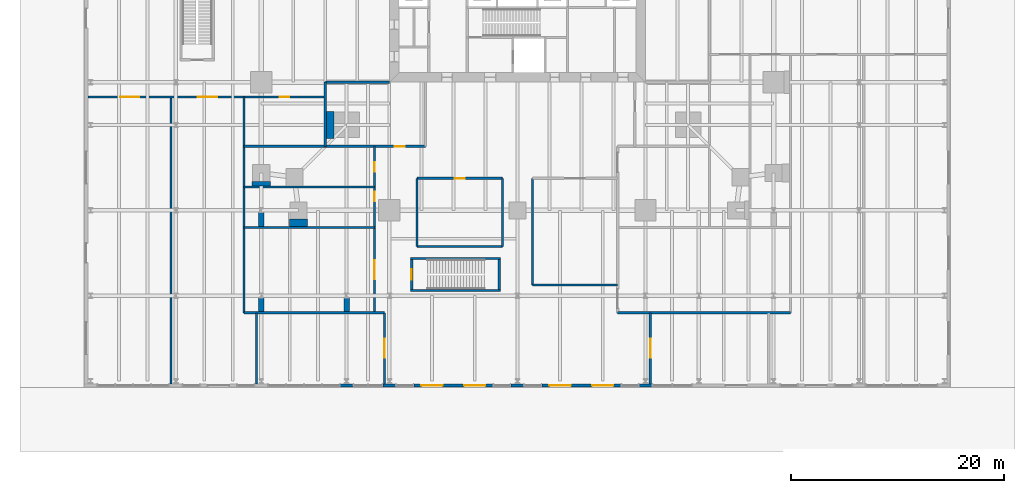
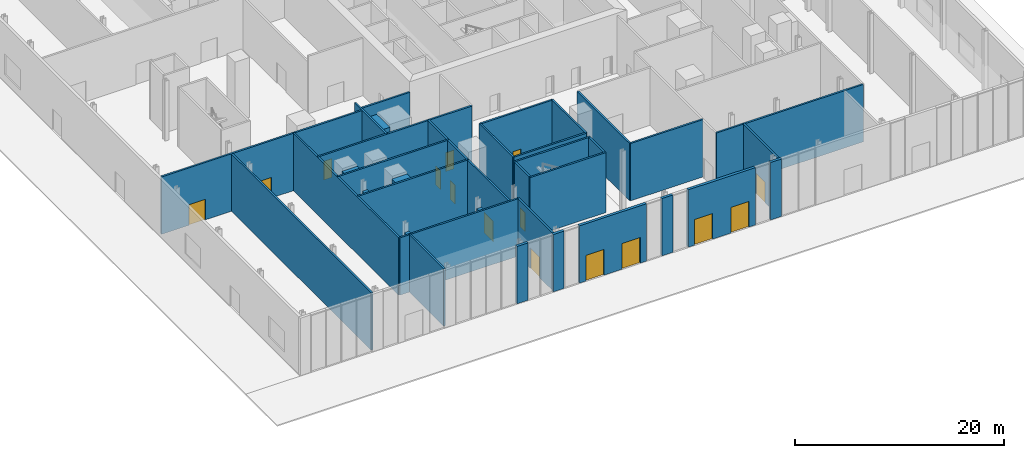
# One storey, part 11 of 20: 36 walls, 15 doors, 15 openings.
"""IFC4 building model written with IfcOpenShell, lengths in metres."""

from ifc_helpers import new_model, si_unit, direction, frame, frame_2d, origin, place, context, subcontext, project, spatial, rectangle, extrude, material, layer, layer_set, type_object, element, fill, save


model = new_model("IFC4")

# Units and contexts
model_context = context("Model", 3, precision=1e-05, world=origin(), true_north=direction((0.0, 1.0)))
body_context = subcontext(model_context, "Body", "Model", "MODEL_VIEW")
ifc_project = project(units=[si_unit("LENGTHUNIT", "METRE"), si_unit("AREAUNIT", "SQUARE_METRE"), si_unit("VOLUMEUNIT", "CUBIC_METRE"), si_unit("PLANEANGLEUNIT", "RADIAN"), si_unit("MASSUNIT", "GRAM", prefix="KILO")], contexts=[model_context])

# Site, building, storey
site_placement = place(None, origin())
site = spatial("IfcSite", under=ifc_project, at=site_placement, CompositionType="ELEMENT")
building_placement = place(site_placement, origin())
building = spatial("IfcBuilding", under=site, at=building_placement, Name="Fenwick Lantern Interchange", CompositionType="ELEMENT")
storey_placement = place(building_placement, origin())
storey = spatial("IfcBuildingStorey", under=building, at=storey_placement, Name="L00", CompositionType="ELEMENT", Elevation=0.0)

# Walls
ifc_material_1 = material(Name="Fire-rated gypsum board encasement on steel studs, 2 hour", Category="steel")
ifc_layer_1 = layer(ifc_material_1, 1.699951171875)
ifc_layer_set_1 = layer_set([ifc_layer_1], Name="COLUMN PIER 1700")
wall_type_1 = type_object("IfcWallType", Name="COLUMN PIER 1700", PredefinedType="PARTITIONING", material=ifc_layer_set_1)
wall_1_placement = place(storey_placement, frame((4.5, -0.5, 0.0), z_axis=(0.0, 0.0, 1.0), x_axis=(0.0, 1.0, 0.0)))
element("IfcWall", 1, at=wall_1_placement, inside=storey, type_object=wall_type_1, Name="L00/W/PIER/CS1", PredefinedType="PARTITIONING", context=body_context, shape_type="SweptSolid", body=[
    extrude(rectangle(XDim=0.699951171875, YDim=1.699951171875, at=frame_2d((0.35009765625, 0.0))), origin(), (0.0, 0.0, 1.0), 6.699951171875),
])
wall_2_placement = place(storey_placement, frame((1.0, 3.300048828125, 0.0), z_axis=(0.0, 0.0, 1.0), x_axis=(0.0, 1.0, 0.0)))
element("IfcWall", 2, at=wall_2_placement, inside=storey, type_object=wall_type_1, Name="L00/W/PIER/CW5", PredefinedType="PARTITIONING", context=body_context, shape_type="SweptSolid", body=[
    extrude(rectangle(XDim=0.39990234375, YDim=1.699951171875, at=frame_2d((0.199951171875, 0.0))), origin(), (0.0, 0.0, 1.0), 6.699951171875),
])
ifc_layer_2 = layer(ifc_material_1, 2.5)
ifc_layer_set_2 = layer_set([ifc_layer_2], Name="COLUMN PIER 2500")
wall_type_2 = type_object("IfcWallType", Name="COLUMN PIER 2500", PredefinedType="PARTITIONING", material=ifc_layer_set_2)
wall_3_placement = place(storey_placement, frame((7.10009765625, 9.0, 0.0), z_axis=(0.0, 0.0, 1.0), x_axis=(1.0, 0.0, 0.0)))
element("IfcWall", 3, at=wall_3_placement, inside=storey, type_object=wall_type_2, Name="L00/W/PIER/M1", PredefinedType="PARTITIONING", context=body_context, shape_type="SweptSolid", body=[
    extrude(rectangle(XDim=0.699951171875, YDim=2.5, at=frame_2d((0.35009765625, 0.0))), origin(), (0.0, 0.0, 1.0), 6.699951171875),
])
ifc_layer_3 = layer(ifc_material_1, 0.51708984375)
ifc_layer_set_3 = layer_set([ifc_layer_3], Name="COLUMN PIER 517")
wall_type_3 = type_object("IfcWallType", Name="COLUMN PIER 517", PredefinedType="PARTITIONING", material=ifc_layer_set_3)
for number, where, z_axis, x_axis, name in (
    (4, (1.0, -8.5, 0.0), (0.0, 0.0, 1.0), (0.0, 1.0, 0.0), "L00/W/PIER/PB3"),
    (5, (9.0, -8.5, 0.0), (0.0, 0.0, 1.0), (0.0, 1.0, 0.0), "L00/W/PIER/PB4"),
    (6, (1.0, -0.5, 0.0), (0.0, 0.0, 1.0), (0.0, 1.0, 0.0), "L00/W/PIER/PC3"),
):
    element("IfcWall", number, at=place(storey_placement, frame(where, z_axis=z_axis, x_axis=x_axis)), inside=storey, type_object=wall_type_3, Name=name, PredefinedType="PARTITIONING", context=body_context, shape_type="SweptSolid", body=[
        extrude(rectangle(XDim=1.27783203125, YDim=0.51708984375, at=frame_2d((0.638916015625, 0.0))), origin(), (0.0, 0.0, 1.0), 5.9541015625),
    ])
ifc_material_2 = material(Name="Limestone ASTM C568 Classification II", Category="masonry")
ifc_layer_4 = layer(ifc_material_2, 0.074951171875)
ifc_material_3 = material(Name="Mineral wool insulation")
ifc_layer_5 = layer(ifc_material_3, 0.125)
ifc_material_4 = material(Name="Cold-formed galvanised steel studs", Category="steel")
ifc_layer_6 = layer(ifc_material_4, 0.10009765625)
ifc_layer_set_4 = layer_set([ifc_layer_4, ifc_layer_5, ifc_layer_6], Name="Limestone ASTM C568 Classification II")
wall_type_4 = type_object("IfcWallType", Name="LIMESTONE RAINSCREEN WALL 300", PredefinedType="SOLIDWALL", material=ifc_layer_set_4)
for number, where, z_axis, x_axis, name in (
    (7, (8.39990234375, -15.39990234375, 0.0), (0.0, 0.0, 1.0), (1.0, 0.0, 0.0), "L00/EW/S05"),
    (8, (12.39990234375, -15.39990234375, 0.0), (0.0, 0.0, 1.0), (1.0, 0.0, 0.0), "L00/EW/S06"),
):
    element("IfcWall", number, at=place(storey_placement, frame(where, z_axis=z_axis, x_axis=x_axis)), inside=storey, type_object=wall_type_4, Name=name, PredefinedType="SOLIDWALL", context=body_context, shape_type="SweptSolid", body=[
        extrude(rectangle(XDim=1.2001953125, YDim=0.300048828125, at=frame_2d((0.60009765625, 0.0))), origin(), (0.0, 0.0, 1.0), 6.699951171875),
    ])

# Wall, openings, doors
wall_4_placement = place(storey_placement, frame((15.300048828125, -15.39990234375, 0.0), z_axis=(0.0, 0.0, 1.0), x_axis=(1.0, 0.0, 0.0)))
wall_4 = element("IfcWall", 9, at=wall_4_placement, inside=storey, type_object=wall_type_4, Name="L00/EW/S07", PredefinedType="SOLIDWALL", context=body_context, shape_type="SweptSolid", body=[
    extrude(rectangle(XDim=7.39990234375, YDim=0.300048828125, at=frame_2d((3.699951171875, 0.0))), origin(), (0.0, 0.0, 1.0), 6.699951171875),
])
opening_1_placement = place(wall_4_placement, frame((0.699951171875, 0.0, 0.0)))
opening_1 = element("IfcOpeningElement", 10, at=opening_1_placement, cuts=wall_4, Name="Opening L00-D002", PredefinedType="OPENING", context=body_context, shape_type="SweptSolid", body=[
    extrude(rectangle(XDim=2.0, YDim=3.0, at=frame_2d((1.0, 1.5))), frame((0.0, 0.159912109375, 0.0), z_axis=(0.0, -1.0, 0.0), x_axis=(1.0, 0.0, 0.0)), (0.0, 0.0, 1.0), 0.320068359375),
])
opening_2_placement = place(wall_4_placement, frame((4.699951171875, 0.0, 0.0)))
opening_2 = element("IfcOpeningElement", 11, at=opening_2_placement, cuts=wall_4, Name="Opening L00-D003", PredefinedType="OPENING", context=body_context, shape_type="SweptSolid", body=[
    extrude(rectangle(XDim=2.0, YDim=3.0, at=frame_2d((1.0, 1.5))), frame((0.0, 0.159912109375, 0.0), z_axis=(0.0, -1.0, 0.0), x_axis=(1.0, 0.0, 0.0)), (0.0, 0.0, 1.0), 0.320068359375),
])
ifc_material_5 = material(Name="Aluminium glazed door", Category="aluminium")
door_type_1 = type_object("IfcDoorType", Name="CONCOURSE ENTRANCE DOOR PAIR 2000 X 3000", OperationType="DOUBLE_DOOR_SINGLE_SWING", PredefinedType="DOOR", material=ifc_material_5)
door_1_placement = place(opening_1_placement, frame((2.0, 0.0, 0.0), z_axis=(0.0, 0.0, 1.0), x_axis=(-1.0, 0.0, 0.0)))
door_1 = element("IfcDoor", 12, at=door_1_placement, inside=storey, type_object=door_type_1, Name="Concourse entrance door pair", OperationType="DOUBLE_DOOR_SINGLE_SWING", OverallHeight=3.0, OverallWidth=2.0, PredefinedType="DOOR", context=body_context, shape_type="SweptSolid", body=[
    extrude(rectangle(XDim=2.0, YDim=3.0, at=frame_2d((1.0, 1.5))), frame((0.0, 0.02490234375, 0.0), z_axis=(0.0, -1.0, 0.0), x_axis=(1.0, 0.0, 0.0)), (0.0, 0.0, 1.0), 0.050048828125),
])
fill(opening_1, door_1)
door_2_placement = place(opening_2_placement, frame((2.0, 0.0, 0.0), z_axis=(0.0, 0.0, 1.0), x_axis=(-1.0, 0.0, 0.0)))
door_2 = element("IfcDoor", 13, at=door_2_placement, inside=storey, type_object=door_type_1, Name="Concourse entrance door pair", OperationType="DOUBLE_DOOR_SINGLE_SWING", OverallHeight=3.0, OverallWidth=2.0, PredefinedType="DOOR", context=body_context, shape_type="SweptSolid", body=[
    extrude(rectangle(XDim=2.0, YDim=3.0, at=frame_2d((1.0, 1.5))), frame((0.0, 0.02490234375, 0.0), z_axis=(0.0, -1.0, 0.0), x_axis=(1.0, 0.0, 0.0)), (0.0, 0.0, 1.0), 0.050048828125),
])
fill(opening_2, door_2)

# Wall
wall_5_placement = place(storey_placement, frame((24.39990234375, -15.39990234375, 0.0), z_axis=(0.0, 0.0, 1.0), x_axis=(1.0, 0.0, 0.0)))
element("IfcWall", 14, at=wall_5_placement, inside=storey, type_object=wall_type_4, Name="L00/EW/S08", PredefinedType="SOLIDWALL", context=body_context, shape_type="SweptSolid", body=[
    extrude(rectangle(XDim=1.2001953125, YDim=0.300048828125, at=frame_2d((0.60009765625, 0.0))), origin(), (0.0, 0.0, 1.0), 6.699951171875),
])

# Wall, openings, doors
wall_6_placement = place(storey_placement, frame((27.300048828125, -15.39990234375, 0.0), z_axis=(0.0, 0.0, 1.0), x_axis=(1.0, 0.0, 0.0)))
wall_6 = element("IfcWall", 15, at=wall_6_placement, inside=storey, type_object=wall_type_4, Name="L00/EW/S09", PredefinedType="SOLIDWALL", context=body_context, shape_type="SweptSolid", body=[
    extrude(rectangle(XDim=7.39990234375, YDim=0.300048828125, at=frame_2d((3.699951171875, 0.0))), origin(), (0.0, 0.0, 1.0), 6.699951171875),
])
opening_3_placement = place(wall_6_placement, frame((0.699951171875, 0.0, 0.0)))
opening_3 = element("IfcOpeningElement", 16, at=opening_3_placement, cuts=wall_6, Name="Opening L00-D004", PredefinedType="OPENING", context=body_context, shape_type="SweptSolid", body=[
    extrude(rectangle(XDim=2.0, YDim=3.0, at=frame_2d((1.0, 1.5))), frame((0.0, 0.159912109375, 0.0), z_axis=(0.0, -1.0, 0.0), x_axis=(1.0, 0.0, 0.0)), (0.0, 0.0, 1.0), 0.320068359375),
])
opening_4_placement = place(wall_6_placement, frame((4.699951171875, 0.0, 0.0)))
opening_4 = element("IfcOpeningElement", 17, at=opening_4_placement, cuts=wall_6, Name="Opening L00-D005", PredefinedType="OPENING", context=body_context, shape_type="SweptSolid", body=[
    extrude(rectangle(XDim=2.0, YDim=3.0, at=frame_2d((1.0, 1.5))), frame((0.0, 0.159912109375, 0.0), z_axis=(0.0, -1.0, 0.0), x_axis=(1.0, 0.0, 0.0)), (0.0, 0.0, 1.0), 0.320068359375),
])
door_3_placement = place(opening_3_placement, frame((2.0, 0.0, 0.0), z_axis=(0.0, 0.0, 1.0), x_axis=(-1.0, 0.0, 0.0)))
door_3 = element("IfcDoor", 18, at=door_3_placement, inside=storey, type_object=door_type_1, Name="Concourse entrance door pair", OperationType="DOUBLE_DOOR_SINGLE_SWING", OverallHeight=3.0, OverallWidth=2.0, PredefinedType="DOOR", context=body_context, shape_type="SweptSolid", body=[
    extrude(rectangle(XDim=2.0, YDim=3.0, at=frame_2d((1.0, 1.5))), frame((0.0, 0.02490234375, 0.0), z_axis=(0.0, -1.0, 0.0), x_axis=(1.0, 0.0, 0.0)), (0.0, 0.0, 1.0), 0.050048828125),
])
fill(opening_3, door_3)
door_4_placement = place(opening_4_placement, frame((2.0, 0.0, 0.0), z_axis=(0.0, 0.0, 1.0), x_axis=(-1.0, 0.0, 0.0)))
door_4 = element("IfcDoor", 19, at=door_4_placement, inside=storey, type_object=door_type_1, Name="Concourse entrance door pair", OperationType="DOUBLE_DOOR_SINGLE_SWING", OverallHeight=3.0, OverallWidth=2.0, PredefinedType="DOOR", context=body_context, shape_type="SweptSolid", body=[
    extrude(rectangle(XDim=2.0, YDim=3.0, at=frame_2d((1.0, 1.5))), frame((0.0, 0.02490234375, 0.0), z_axis=(0.0, -1.0, 0.0), x_axis=(1.0, 0.0, 0.0)), (0.0, 0.0, 1.0), 0.050048828125),
])
fill(opening_4, door_4)

# Walls
wall_7_placement = place(storey_placement, frame((36.39990234375, -15.39990234375, 0.0), z_axis=(0.0, 0.0, 1.0), x_axis=(1.0, 0.0, 0.0)))
element("IfcWall", 20, at=wall_7_placement, inside=storey, type_object=wall_type_4, Name="L00/EW/S10", PredefinedType="SOLIDWALL", context=body_context, shape_type="SweptSolid", body=[
    extrude(rectangle(XDim=1.2001953125, YDim=0.300048828125, at=frame_2d((0.60009765625, 0.0))), origin(), (0.0, 0.0, 1.0), 6.699951171875),
])
ifc_material_6 = material(Name="Gypsum board on steel studs, 1 hour", Category="steel")
ifc_layer_7 = layer(ifc_material_6, 0.199951171875)
ifc_layer_set_5 = layer_set([ifc_layer_7], Name="ROOM WALL 200")
wall_type_5 = type_object("IfcWallType", Name="ROOM WALL 200", PredefinedType="PARTITIONING", material=ifc_layer_set_5)
wall_8_placement = place(storey_placement, frame((-7.449951171875, -15.25, 0.0), z_axis=(0.0, 0.0, 1.0), x_axis=(0.0, 1.0, 0.0)))
element("IfcWall", 21, at=wall_8_placement, inside=storey, type_object=wall_type_5, Name="L00/W/POD/X-7.45-1", PredefinedType="PARTITIONING", context=body_context, shape_type="SweptSolid", body=[
    extrude(rectangle(XDim=26.85009765625, YDim=0.199951171875, at=frame_2d((13.425048828125, 0.0))), origin(), (0.0, 0.0, 1.0), 6.699951171875),
])
wall_9_placement = place(storey_placement, frame((-0.60009765625, -8.60009765625, 0.0), z_axis=(0.0, 0.0, 1.0), x_axis=(0.0, 1.0, 0.0)))
element("IfcWall", 22, at=wall_9_placement, inside=storey, type_object=wall_type_5, Name="L00/W/POD/X-0.6-1", PredefinedType="PARTITIONING", context=body_context, shape_type="SweptSolid", body=[
    extrude(rectangle(XDim=20.2001953125, YDim=0.199951171875, at=frame_2d((10.10009765625, 0.0))), origin(), (0.0, 0.0, 1.0), 6.699951171875),
])
wall_10_placement = place(storey_placement, frame((0.550048828125, -15.25, 0.0), z_axis=(0.0, 0.0, 1.0), x_axis=(0.0, 1.0, 0.0)))
element("IfcWall", 23, at=wall_10_placement, inside=storey, type_object=wall_type_5, Name="L00/W/POD/X0.55-1", PredefinedType="PARTITIONING", context=body_context, shape_type="SweptSolid", body=[
    extrude(rectangle(XDim=6.64990234375, YDim=0.199951171875, at=frame_2d((3.324951171875, 0.0))), origin(), (0.0, 0.0, 1.0), 6.699951171875),
])
wall_11_placement = place(storey_placement, frame((7.0, 7.0, 0.0), z_axis=(0.0, 0.0, 1.0), x_axis=(0.0, 1.0, 0.0)))
element("IfcWall", 24, at=wall_11_placement, inside=storey, type_object=wall_type_5, Name="L00/W/POD/X7-1", PredefinedType="PARTITIONING", context=body_context, shape_type="SweptSolid", body=[
    extrude(rectangle(XDim=6.0, YDim=0.199951171875, at=frame_2d((3.0, 0.0))), origin(), (0.0, 0.0, 1.0), 6.699951171875),
])

# Wall, openings, doors
wall_12_placement = place(storey_placement, frame((11.60009765625, -8.60009765625, 0.0), z_axis=(0.0, 0.0, 1.0), x_axis=(0.0, 1.0, 0.0)))
wall_12 = element("IfcWall", 25, at=wall_12_placement, inside=storey, type_object=wall_type_5, Name="L00/W/POD/X11.6-1", PredefinedType="PARTITIONING", context=body_context, shape_type="SweptSolid", body=[
    extrude(rectangle(XDim=15.60009765625, YDim=0.199951171875, at=frame_2d((7.800048828125, 0.0))), origin(), (0.0, 0.0, 1.0), 6.699951171875),
])
opening_5_placement = place(wall_12_placement, frame((3.125, 0.0, 0.0)))
opening_5 = element("IfcOpeningElement", 26, at=opening_5_placement, cuts=wall_12, Name="Opening L00-D040", PredefinedType="OPENING", context=body_context, shape_type="SweptSolid", body=[
    extrude(rectangle(XDim=1.800048828125, YDim=2.39990234375, at=frame_2d((0.89990234375, 1.199951171875))), frame((0.0, 0.10986328125, 0.0), z_axis=(0.0, -1.0, 0.0), x_axis=(1.0, 0.0, 0.0)), (0.0, 0.0, 1.0), 0.219970703125),
])
opening_6_placement = place(wall_12_placement, frame((10.449951171875, 0.0, 0.0)))
opening_6 = element("IfcOpeningElement", 27, at=opening_6_placement, cuts=wall_12, Name="Opening L00-D041", PredefinedType="OPENING", context=body_context, shape_type="SweptSolid", body=[
    extrude(rectangle(XDim=0.89990234375, YDim=2.199951171875, at=frame_2d((0.449951171875, 1.10009765625))), frame((0.0, 0.10986328125, 0.0), z_axis=(0.0, -1.0, 0.0), x_axis=(1.0, 0.0, 0.0)), (0.0, 0.0, 1.0), 0.219970703125),
])
opening_7_placement = place(wall_12_placement, frame((13.22509765625, 0.0, 0.0)))
opening_7 = element("IfcOpeningElement", 28, at=opening_7_placement, cuts=wall_12, Name="Opening L00-D042", PredefinedType="OPENING", context=body_context, shape_type="SweptSolid", body=[
    extrude(rectangle(XDim=0.89990234375, YDim=2.199951171875, at=frame_2d((0.449951171875, 1.10009765625))), frame((0.0, 0.10986328125, 0.0), z_axis=(0.0, -1.0, 0.0), x_axis=(1.0, 0.0, 0.0)), (0.0, 0.0, 1.0), 0.219970703125),
])
ifc_material_7 = material(Name="Hardwood door and steel frame", Category="steel")
door_type_2 = type_object("IfcDoorType", Name="OFFICE DOOR 900 X 2200", OperationType="SINGLE_SWING_LEFT", PredefinedType="DOOR", material=ifc_material_7)
door_5_placement = place(opening_6_placement, origin())
door_5 = element("IfcDoor", 29, at=door_5_placement, inside=storey, type_object=door_type_2, Name="Office door", OperationType="SINGLE_SWING_RIGHT", OverallHeight=2.199951171875, OverallWidth=0.89990234375, PredefinedType="DOOR", context=body_context, shape_type="SweptSolid", body=[
    extrude(rectangle(XDim=0.89990234375, YDim=2.199951171875, at=frame_2d((0.449951171875, 1.10009765625))), frame((0.0, 0.02490234375, 0.0), z_axis=(0.0, -1.0, 0.0), x_axis=(1.0, 0.0, 0.0)), (0.0, 0.0, 1.0), 0.050048828125),
])
fill(opening_6, door_5)
door_6_placement = place(opening_7_placement, origin())
door_6 = element("IfcDoor", 30, at=door_6_placement, inside=storey, type_object=door_type_2, Name="Office door", OperationType="SINGLE_SWING_LEFT", OverallHeight=2.199951171875, OverallWidth=0.89990234375, PredefinedType="DOOR", context=body_context, shape_type="SweptSolid", body=[
    extrude(rectangle(XDim=0.89990234375, YDim=2.199951171875, at=frame_2d((0.449951171875, 1.10009765625))), frame((0.0, 0.02490234375, 0.0), z_axis=(0.0, -1.0, 0.0), x_axis=(1.0, 0.0, 0.0)), (0.0, 0.0, 1.0), 0.050048828125),
])
fill(opening_7, door_6)
ifc_material_8 = material(Name="Steel door and frame", Category="steel")
door_type_3 = type_object("IfcDoorType", Name="ROOM DOOR PAIR 1800 X 2400", OperationType="DOUBLE_DOOR_SINGLE_SWING", PredefinedType="DOOR", material=ifc_material_8)
door_7_placement = place(opening_5_placement, frame((1.800048828125, 0.0, 0.0), z_axis=(0.0, 0.0, 1.0), x_axis=(-1.0, 0.0, 0.0)))
door_7 = element("IfcDoor", 31, at=door_7_placement, inside=storey, type_object=door_type_3, Name="Room door pair", OperationType="DOUBLE_DOOR_SINGLE_SWING", OverallHeight=2.39990234375, OverallWidth=1.800048828125, PredefinedType="DOOR", context=body_context, shape_type="SweptSolid", body=[
    extrude(rectangle(XDim=1.800048828125, YDim=2.39990234375, at=frame_2d((0.89990234375, 1.199951171875))), frame((0.0, 0.02490234375, 0.0), z_axis=(0.0, -1.0, 0.0), x_axis=(1.0, 0.0, 0.0)), (0.0, 0.0, 1.0), 0.050048828125),
])
fill(opening_5, door_7)

# Wall, opening, door
wall_13_placement = place(storey_placement, frame((12.550048828125, -15.25, 0.0), z_axis=(0.0, 0.0, 1.0), x_axis=(0.0, 1.0, 0.0)))
wall_13 = element("IfcWall", 32, at=wall_13_placement, inside=storey, type_object=wall_type_5, Name="L00/W/POD/X12.55-1", PredefinedType="PARTITIONING", context=body_context, shape_type="SweptSolid", body=[
    extrude(rectangle(XDim=6.64990234375, YDim=0.199951171875, at=frame_2d((3.324951171875, 0.0))), origin(), (0.0, 0.0, 1.0), 6.699951171875),
])
opening_8_placement = place(wall_13_placement, frame((2.425048828125, 0.0, 0.0)))
opening_8 = element("IfcOpeningElement", 33, at=opening_8_placement, cuts=wall_13, Name="Opening L00-D039", PredefinedType="OPENING", context=body_context, shape_type="SweptSolid", body=[
    extrude(rectangle(XDim=1.800048828125, YDim=2.39990234375, at=frame_2d((0.89990234375, 1.199951171875))), frame((0.0, 0.10986328125, 0.0), z_axis=(0.0, -1.0, 0.0), x_axis=(1.0, 0.0, 0.0)), (0.0, 0.0, 1.0), 0.219970703125),
])
door_8_placement = place(opening_8_placement, frame((1.800048828125, 0.0, 0.0), z_axis=(0.0, 0.0, 1.0), x_axis=(-1.0, 0.0, 0.0)))
door_8 = element("IfcDoor", 34, at=door_8_placement, inside=storey, type_object=door_type_3, Name="Room door pair", OperationType="DOUBLE_DOOR_SINGLE_SWING", OverallHeight=2.39990234375, OverallWidth=1.800048828125, PredefinedType="DOOR", context=body_context, shape_type="SweptSolid", body=[
    extrude(rectangle(XDim=1.800048828125, YDim=2.39990234375, at=frame_2d((0.89990234375, 1.199951171875))), frame((0.0, 0.02490234375, 0.0), z_axis=(0.0, -1.0, 0.0), x_axis=(1.0, 0.0, 0.0)), (0.0, 0.0, 1.0), 0.050048828125),
])
fill(opening_8, door_8)

# Walls
for number, where, z_axis, x_axis, name in (
    (35, (15.60009765625, -2.39990234375, 0.0), (0.0, 0.0, 1.0), (0.0, 1.0, 0.0), "L00/W/POD/X15.6-1"),
    (36, (23.60009765625, -2.39990234375, 0.0), (0.0, 0.0, 1.0), (0.0, 1.0, 0.0), "L00/W/POD/X23.6-1"),
):
    element("IfcWall", number, at=place(storey_placement, frame(where, z_axis=z_axis, x_axis=x_axis)), inside=storey, type_object=wall_type_5, Name=name, PredefinedType="PARTITIONING", context=body_context, shape_type="SweptSolid", body=[
        extrude(rectangle(XDim=6.39990234375, YDim=0.199951171875, at=frame_2d((3.199951171875, 0.0))), origin(), (0.0, 0.0, 1.0), 6.699951171875),
    ])
wall_14_placement = place(storey_placement, frame((26.39990234375, -6.0, 0.0), z_axis=(0.0, 0.0, 1.0), x_axis=(0.0, 1.0, 0.0)))
element("IfcWall", 37, at=wall_14_placement, inside=storey, type_object=wall_type_5, Name="L00/W/POD/X26.4-1", PredefinedType="PARTITIONING", context=body_context, shape_type="SweptSolid", body=[
    extrude(rectangle(XDim=10.0, YDim=0.199951171875, at=frame_2d((5.0, 0.0))), origin(), (0.0, 0.0, 1.0), 6.699951171875),
])

# Wall, opening, door
wall_15_placement = place(storey_placement, frame((37.449951171875, -15.25, 0.0), z_axis=(0.0, 0.0, 1.0), x_axis=(0.0, 1.0, 0.0)))
wall_15 = element("IfcWall", 38, at=wall_15_placement, inside=storey, type_object=wall_type_5, Name="L00/W/POD/X37.45-1", PredefinedType="PARTITIONING", context=body_context, shape_type="SweptSolid", body=[
    extrude(rectangle(XDim=6.64990234375, YDim=0.199951171875, at=frame_2d((3.324951171875, 0.0))), origin(), (0.0, 0.0, 1.0), 6.699951171875),
])
opening_9_placement = place(wall_15_placement, frame((2.425048828125, 0.0, 0.0)))
opening_9 = element("IfcOpeningElement", 39, at=opening_9_placement, cuts=wall_15, Name="Opening L00-D046", PredefinedType="OPENING", context=body_context, shape_type="SweptSolid", body=[
    extrude(rectangle(XDim=1.800048828125, YDim=2.39990234375, at=frame_2d((0.89990234375, 1.199951171875))), frame((0.0, 0.10986328125, 0.0), z_axis=(0.0, -1.0, 0.0), x_axis=(1.0, 0.0, 0.0)), (0.0, 0.0, 1.0), 0.219970703125),
])
door_9_placement = place(opening_9_placement, origin())
door_9 = element("IfcDoor", 40, at=door_9_placement, inside=storey, type_object=door_type_3, Name="Room door pair", OperationType="DOUBLE_DOOR_SINGLE_SWING", OverallHeight=2.39990234375, OverallWidth=1.800048828125, PredefinedType="DOOR", context=body_context, shape_type="SweptSolid", body=[
    extrude(rectangle(XDim=1.800048828125, YDim=2.39990234375, at=frame_2d((0.89990234375, 1.199951171875))), frame((0.0, 0.02490234375, 0.0), z_axis=(0.0, -1.0, 0.0), x_axis=(1.0, 0.0, 0.0)), (0.0, 0.0, 1.0), 0.050048828125),
])
fill(opening_9, door_9)

# Walls
wall_16_placement = place(storey_placement, frame((-0.60009765625, -8.60009765625, 0.0), z_axis=(0.0, 0.0, 1.0), x_axis=(1.0, 0.0, 0.0)))
element("IfcWall", 41, at=wall_16_placement, inside=storey, type_object=wall_type_5, Name="L00/W/POD/Y-8.6-1", PredefinedType="PARTITIONING", context=body_context, shape_type="SweptSolid", body=[
    extrude(rectangle(XDim=13.150146484375, YDim=0.199951171875, at=frame_2d((6.5751953125, 0.0))), origin(), (0.0, 0.0, 1.0), 6.699951171875),
])
wall_17_placement = place(storey_placement, frame((34.39990234375, -8.60009765625, 0.0), z_axis=(0.0, 0.0, 1.0), x_axis=(1.0, 0.0, 0.0)))
element("IfcWall", 42, at=wall_17_placement, inside=storey, type_object=wall_type_5, Name="L00/W/POD/Y-8.6-2", PredefinedType="PARTITIONING", context=body_context, shape_type="SweptSolid", body=[
    extrude(rectangle(XDim=16.2001953125, YDim=0.199951171875, at=frame_2d((8.10009765625, 0.0))), origin(), (0.0, 0.0, 1.0), 6.699951171875),
])
for number, where, z_axis, x_axis, name in (
    (43, (26.39990234375, -6.0, 0.0), (0.0, 0.0, 1.0), (1.0, 0.0, 0.0), "L00/W/POD/Y-6-1"),
    (44, (15.60009765625, -2.39990234375, 0.0), (0.0, 0.0, 1.0), (1.0, 0.0, 0.0), "L00/W/POD/Y-2.4-1"),
):
    element("IfcWall", number, at=place(storey_placement, frame(where, z_axis=z_axis, x_axis=x_axis)), inside=storey, type_object=wall_type_5, Name=name, PredefinedType="PARTITIONING", context=body_context, shape_type="SweptSolid", body=[
        extrude(rectangle(XDim=8.0, YDim=0.199951171875, at=frame_2d((4.0, 0.0))), origin(), (0.0, 0.0, 1.0), 6.699951171875),
    ])
for number, where, z_axis, x_axis, name in (
    (45, (-0.60009765625, -0.60009765625, 0.0), (0.0, 0.0, 1.0), (1.0, 0.0, 0.0), "L00/W/POD/Y-0.6-1"),
    (46, (-0.60009765625, 3.199951171875, 0.0), (0.0, 0.0, 1.0), (1.0, 0.0, 0.0), "L00/W/POD/Y3.2-1"),
):
    element("IfcWall", number, at=place(storey_placement, frame(where, z_axis=z_axis, x_axis=x_axis)), inside=storey, type_object=wall_type_5, Name=name, PredefinedType="PARTITIONING", context=body_context, shape_type="SweptSolid", body=[
        extrude(rectangle(XDim=12.2001953125, YDim=0.199951171875, at=frame_2d((6.10009765625, 0.0))), origin(), (0.0, 0.0, 1.0), 6.699951171875),
    ])

# Wall, opening, door
wall_18_placement = place(storey_placement, frame((15.60009765625, 4.0, 0.0), z_axis=(0.0, 0.0, 1.0), x_axis=(1.0, 0.0, 0.0)))
wall_18 = element("IfcWall", 47, at=wall_18_placement, inside=storey, type_object=wall_type_5, Name="L00/W/POD/Y4-1", PredefinedType="PARTITIONING", context=body_context, shape_type="SweptSolid", body=[
    extrude(rectangle(XDim=8.0, YDim=0.199951171875, at=frame_2d((4.0, 0.0))), origin(), (0.0, 0.0, 1.0), 6.699951171875),
])
opening_10_placement = place(wall_18_placement, frame((3.550048828125, 0.0, 0.0)))
opening_10 = element("IfcOpeningElement", 48, at=opening_10_placement, cuts=wall_18, Name="Opening L00-D071", PredefinedType="OPENING", context=body_context, shape_type="SweptSolid", body=[
    extrude(rectangle(XDim=0.89990234375, YDim=2.199951171875, at=frame_2d((0.449951171875, 1.10009765625))), frame((0.0, 0.10986328125, 0.0), z_axis=(0.0, -1.0, 0.0), x_axis=(1.0, 0.0, 0.0)), (0.0, 0.0, 1.0), 0.219970703125),
])
door_10_placement = place(opening_10_placement, frame((0.89990234375, 0.0, 0.0), z_axis=(0.0, 0.0, 1.0), x_axis=(-1.0, 0.0, 0.0)))
door_10 = element("IfcDoor", 49, at=door_10_placement, inside=storey, type_object=door_type_2, Name="Office door", OperationType="SINGLE_SWING_RIGHT", OverallHeight=2.199951171875, OverallWidth=0.89990234375, PredefinedType="DOOR", context=body_context, shape_type="SweptSolid", body=[
    extrude(rectangle(XDim=0.89990234375, YDim=2.199951171875, at=frame_2d((0.449951171875, 1.10009765625))), frame((0.0, 0.02490234375, 0.0), z_axis=(0.0, -1.0, 0.0), x_axis=(1.0, 0.0, 0.0)), (0.0, 0.0, 1.0), 0.050048828125),
])
fill(opening_10, door_10)

wall_19_placement = place(storey_placement, frame((-0.60009765625, 7.0, 0.0), z_axis=(0.0, 0.0, 1.0), x_axis=(1.0, 0.0, 0.0)))
wall_19 = element("IfcWall", 50, at=wall_19_placement, inside=storey, type_object=wall_type_5, Name="L00/W/POD/Y7-1", PredefinedType="PARTITIONING", context=body_context, shape_type="SweptSolid", body=[
    extrude(rectangle(XDim=17.0, YDim=0.199951171875, at=frame_2d((8.5, 0.0))), origin(), (0.0, 0.0, 1.0), 6.699951171875),
])
opening_11_placement = place(wall_19_placement, frame((14.125, 0.0, 0.0)))
opening_11 = element("IfcOpeningElement", 51, at=opening_11_placement, cuts=wall_19, Name="Opening L00-D067", PredefinedType="OPENING", context=body_context, shape_type="SweptSolid", body=[
    extrude(rectangle(XDim=0.89990234375, YDim=2.199951171875, at=frame_2d((0.449951171875, 1.10009765625))), frame((0.0, 0.10986328125, 0.0), z_axis=(0.0, -1.0, 0.0), x_axis=(1.0, 0.0, 0.0)), (0.0, 0.0, 1.0), 0.219970703125),
])
door_11_placement = place(opening_11_placement, origin())
door_11 = element("IfcDoor", 52, at=door_11_placement, inside=storey, type_object=door_type_2, Name="Office door", OperationType="SINGLE_SWING_RIGHT", OverallHeight=2.199951171875, OverallWidth=0.89990234375, PredefinedType="DOOR", context=body_context, shape_type="SweptSolid", body=[
    extrude(rectangle(XDim=0.89990234375, YDim=2.199951171875, at=frame_2d((0.449951171875, 1.10009765625))), frame((0.0, 0.02490234375, 0.0), z_axis=(0.0, -1.0, 0.0), x_axis=(1.0, 0.0, 0.0)), (0.0, 0.0, 1.0), 0.050048828125),
])
fill(opening_11, door_11)

# Wall, openings, doors
wall_20_placement = place(storey_placement, frame((-15.25, 11.60009765625, 0.0), z_axis=(0.0, 0.0, 1.0), x_axis=(1.0, 0.0, 0.0)))
wall_20 = element("IfcWall", 53, at=wall_20_placement, inside=storey, type_object=wall_type_5, Name="L00/W/POD/Y11.6-1", PredefinedType="PARTITIONING", context=body_context, shape_type="SweptSolid", body=[
    extrude(rectangle(XDim=22.25, YDim=0.199951171875, at=frame_2d((11.125, 0.0))), origin(), (0.0, 0.0, 1.0), 6.699951171875),
])
opening_12_placement = place(wall_20_placement, frame((10.324951171875, 0.0, 0.0)))
opening_12 = element("IfcOpeningElement", 54, at=opening_12_placement, cuts=wall_20, Name="Opening L00-D043", PredefinedType="OPENING", context=body_context, shape_type="SweptSolid", body=[
    extrude(rectangle(XDim=1.800048828125, YDim=2.39990234375, at=frame_2d((0.89990234375, 1.199951171875))), frame((0.0, 0.10986328125, 0.0), z_axis=(0.0, -1.0, 0.0), x_axis=(1.0, 0.0, 0.0)), (0.0, 0.0, 1.0), 0.219970703125),
])
opening_13_placement = place(wall_20_placement, frame((3.02490234375, 0.0, 0.0)))
opening_13 = element("IfcOpeningElement", 55, at=opening_13_placement, cuts=wall_20, Name="Opening L00-D044", PredefinedType="OPENING", context=body_context, shape_type="SweptSolid", body=[
    extrude(rectangle(XDim=1.800048828125, YDim=2.39990234375, at=frame_2d((0.89990234375, 1.199951171875))), frame((0.0, 0.10986328125, 0.0), z_axis=(0.0, -1.0, 0.0), x_axis=(1.0, 0.0, 0.0)), (0.0, 0.0, 1.0), 0.219970703125),
])
opening_14_placement = place(wall_20_placement, frame((17.97509765625, 0.0, 0.0)))
opening_14 = element("IfcOpeningElement", 56, at=opening_14_placement, cuts=wall_20, Name="Opening L00-D045", PredefinedType="OPENING", context=body_context, shape_type="SweptSolid", body=[
    extrude(rectangle(XDim=0.89990234375, YDim=2.199951171875, at=frame_2d((0.449951171875, 1.10009765625))), frame((0.0, 0.10986328125, 0.0), z_axis=(0.0, -1.0, 0.0), x_axis=(1.0, 0.0, 0.0)), (0.0, 0.0, 1.0), 0.219970703125),
])
door_12_placement = place(opening_14_placement, frame((0.89990234375, 0.0, 0.0), z_axis=(0.0, 0.0, 1.0), x_axis=(-1.0, 0.0, 0.0)))
door_12 = element("IfcDoor", 57, at=door_12_placement, inside=storey, type_object=door_type_2, Name="Office door", OperationType="SINGLE_SWING_RIGHT", OverallHeight=2.199951171875, OverallWidth=0.89990234375, PredefinedType="DOOR", context=body_context, shape_type="SweptSolid", body=[
    extrude(rectangle(XDim=0.89990234375, YDim=2.199951171875, at=frame_2d((0.449951171875, 1.10009765625))), frame((0.0, 0.02490234375, 0.0), z_axis=(0.0, -1.0, 0.0), x_axis=(1.0, 0.0, 0.0)), (0.0, 0.0, 1.0), 0.050048828125),
])
fill(opening_14, door_12)
door_13_placement = place(opening_12_placement, origin())
door_13 = element("IfcDoor", 58, at=door_13_placement, inside=storey, type_object=door_type_3, Name="Room door pair", OperationType="DOUBLE_DOOR_SINGLE_SWING", OverallHeight=2.39990234375, OverallWidth=1.800048828125, PredefinedType="DOOR", context=body_context, shape_type="SweptSolid", body=[
    extrude(rectangle(XDim=1.800048828125, YDim=2.39990234375, at=frame_2d((0.89990234375, 1.199951171875))), frame((0.0, 0.02490234375, 0.0), z_axis=(0.0, -1.0, 0.0), x_axis=(1.0, 0.0, 0.0)), (0.0, 0.0, 1.0), 0.050048828125),
])
fill(opening_12, door_13)
door_14_placement = place(opening_13_placement, origin())
door_14 = element("IfcDoor", 59, at=door_14_placement, inside=storey, type_object=door_type_3, Name="Room door pair", OperationType="DOUBLE_DOOR_SINGLE_SWING", OverallHeight=2.39990234375, OverallWidth=1.800048828125, PredefinedType="DOOR", context=body_context, shape_type="SweptSolid", body=[
    extrude(rectangle(XDim=1.800048828125, YDim=2.39990234375, at=frame_2d((0.89990234375, 1.199951171875))), frame((0.0, 0.02490234375, 0.0), z_axis=(0.0, -1.0, 0.0), x_axis=(1.0, 0.0, 0.0)), (0.0, 0.0, 1.0), 0.050048828125),
])
fill(opening_13, door_14)

# Walls
wall_21_placement = place(storey_placement, frame((7.0, 13.0, 0.0), z_axis=(0.0, 0.0, 1.0), x_axis=(1.0, 0.0, 0.0)))
element("IfcWall", 60, at=wall_21_placement, inside=storey, type_object=wall_type_5, Name="L00/W/POD/Y13-1", PredefinedType="PARTITIONING", context=body_context, shape_type="SweptSolid", body=[
    extrude(rectangle(XDim=6.0, YDim=0.199951171875, at=frame_2d((3.0, 0.0))), origin(), (0.0, 0.0, 1.0), 5.8525390625),
])
ifc_material_9 = material(Name="Reinforced concrete masonry ASTM C90 Grade N", Category="masonry")
ifc_layer_8 = layer(ifc_material_9, 0.199951171875)
ifc_layer_set_6 = layer_set([ifc_layer_8], Name="Reinforced concrete masonry ASTM C90 Grade N")
wall_type_6 = type_object("IfcWallType", Name="STAIR ENCLOSURE 200", PredefinedType="SOLIDWALL", material=ifc_layer_set_6)
wall_22_placement = place(storey_placement, frame((15.0, -6.5, 0.0), z_axis=(0.0, 0.0, 1.0), x_axis=(1.0, 0.0, 0.0)))
element("IfcWall", 61, at=wall_22_placement, inside=storey, type_object=wall_type_6, Name="L00/W/PS2/S", PredefinedType="SOLIDWALL", context=body_context, shape_type="SweptSolid", body=[
    extrude(rectangle(XDim=8.39990234375, YDim=0.199951171875, at=frame_2d((4.199951171875, 0.0))), origin(), (0.0, 0.0, 1.0), 7.0),
])
wall_23_placement = place(storey_placement, frame((23.300048828125, -6.39990234375, 0.0), z_axis=(0.0, 0.0, 1.0), x_axis=(0.0, 1.0, 0.0)))
element("IfcWall", 62, at=wall_23_placement, inside=storey, type_object=wall_type_6, Name="L00/W/PS2/E", PredefinedType="SOLIDWALL", context=body_context, shape_type="SweptSolid", body=[
    extrude(rectangle(XDim=2.7998046875, YDim=0.199951171875, at=frame_2d((1.39990234375, 0.0))), origin(), (0.0, 0.0, 1.0), 7.0),
])
wall_24_placement = place(storey_placement, frame((23.39990234375, -3.5, 0.0), z_axis=(0.0, 0.0, 1.0), x_axis=(-1.0, 0.0, 0.0)))
element("IfcWall", 63, at=wall_24_placement, inside=storey, type_object=wall_type_6, Name="L00/W/PS2/N", PredefinedType="SOLIDWALL", context=body_context, shape_type="SweptSolid", body=[
    extrude(rectangle(XDim=8.39990234375, YDim=0.199951171875, at=frame_2d((4.199951171875, 0.0))), origin(), (0.0, 0.0, 1.0), 7.0),
])

# Wall, opening, door
wall_25_placement = place(storey_placement, frame((15.10009765625, -3.60009765625, 0.0), z_axis=(0.0, 0.0, 1.0), x_axis=(0.0, -1.0, 0.0)))
wall_25 = element("IfcWall", 64, at=wall_25_placement, inside=storey, type_object=wall_type_6, Name="L00/W/PS2/W", PredefinedType="SOLIDWALL", context=body_context, shape_type="SweptSolid", body=[
    extrude(rectangle(XDim=2.7998046875, YDim=0.199951171875, at=frame_2d((1.39990234375, 0.0))), origin(), (0.0, 0.0, 1.0), 7.0),
])
opening_15_placement = place(wall_25_placement, frame((0.89990234375, 0.0, 0.0)))
opening_15 = element("IfcOpeningElement", 65, at=opening_15_placement, cuts=wall_25, Name="Opening L00-D036", PredefinedType="OPENING", context=body_context, shape_type="SweptSolid", body=[
    extrude(rectangle(XDim=1.0, YDim=2.199951171875, at=frame_2d((0.5, 1.10009765625))), frame((0.0, 0.10986328125, 0.0), z_axis=(0.0, -1.0, 0.0), x_axis=(1.0, 0.0, 0.0)), (0.0, 0.0, 1.0), 0.219970703125),
])
door_type_4 = type_object("IfcDoorType", Name="STAIR DOOR 1000 X 2200", OperationType="SINGLE_SWING_LEFT", PredefinedType="DOOR", material=ifc_material_8)
door_15_placement = place(opening_15_placement, frame((1.0, 0.0, 0.0), z_axis=(0.0, 0.0, 1.0), x_axis=(-1.0, 0.0, 0.0)))
door_15 = element("IfcDoor", 66, at=door_15_placement, inside=storey, type_object=door_type_4, Name="Stair door", OperationType="SINGLE_SWING_LEFT", OverallHeight=2.199951171875, OverallWidth=1.0, PredefinedType="DOOR", context=body_context, shape_type="SweptSolid", body=[
    extrude(rectangle(XDim=1.0, YDim=2.199951171875, at=frame_2d((0.5, 1.10009765625))), frame((0.0, 0.02490234375, 0.0), z_axis=(0.0, -1.0, 0.0), x_axis=(1.0, 0.0, 0.0)), (0.0, 0.0, 1.0), 0.050048828125),
])
fill(opening_15, door_15)

save(model, "model.ifc")
